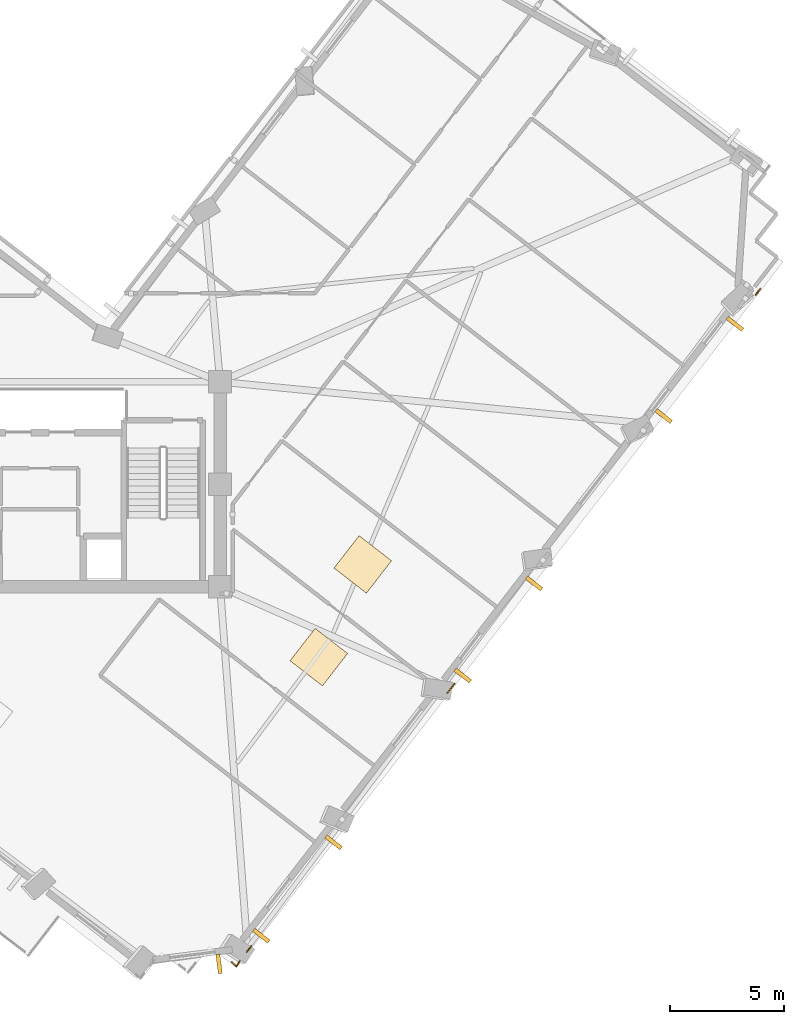
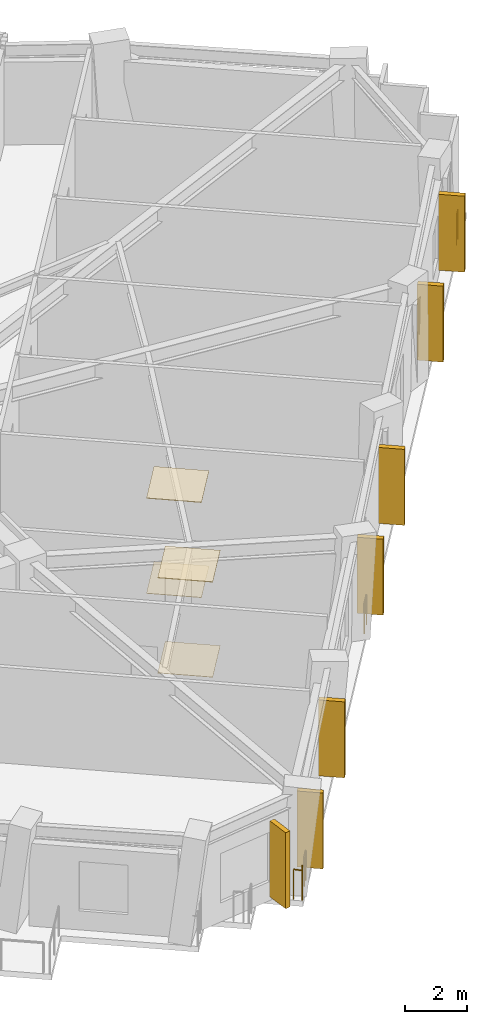
# One storey, part 10 of 12: 7 shading devices, 4 coverings, 4 railings.
"""IFC4 building model written with IfcOpenShell, lengths in metres."""

import ifcopenshell
import ifcopenshell.guid

model = None  # the IFC model being written
_history = None  # IfcOwnerHistory: only IFC2X3 demands one
_inside = {}  # id of a spatial element -> (the spatial element, [elements in it])
_under = {}  # id of a project, library or spatial element -> (it, [spatial elements below it])
_declared = {}  # id of a project -> (the project, [libraries it declares])
_typed = {}  # id of a type object -> (the type object, [elements of that type])
_made_of = {}  # id of a material, layer set ... -> (it, [elements and type objects made of it])


def new_model(schema):
    """Start an empty IFC model of exactly this schema.

    Asked for "IFC4X3", IfcOpenShell would pick the latest addendum, in which some entities
    have other attributes; the version numbers below select the first issue.
    IFC2X3 requires an IfcOwnerHistory on every rooted entity: one is made here for all.
    """
    global model, _history
    if schema == "IFC4X3":
        model = ifcopenshell.file(schema_version=(4, 3, 0, 0))
    else:
        model = ifcopenshell.file(schema=schema)
    _inside.clear()
    _under.clear()
    _declared.clear()
    _typed.clear()
    _made_of.clear()
    _history = None
    if model.schema == "IFC2X3":
        org = make("IfcOrganization", Name="unknown")
        user = make(
            "IfcPersonAndOrganization",
            ThePerson=make("IfcPerson", FamilyName="unknown"),
            TheOrganization=org,
        )
        app = make(
            "IfcApplication",
            ApplicationDeveloper=org,
            Version="unknown",
            ApplicationFullName="unknown",
            ApplicationIdentifier="unknown",
        )
        _history = make(
            "IfcOwnerHistory",
            OwningUser=user,
            OwningApplication=app,
            ChangeAction="ADDED",
            CreationDate=0,
        )
    return model


def make(cls, **values):
    """One entity of the class cls with the attributes given. An attribute that is None is left unset."""
    return model.create_entity(
        cls, **{name: value for name, value in values.items() if value is not None}
    )


def rooted(cls, **values):
    """An entity with a GlobalId (a new one), such as an element, a storey or a relation."""
    return make(cls, GlobalId=ifcopenshell.guid.new(), OwnerHistory=_history, **values)


def si_unit(unit_type, name, prefix=None):
    """IfcSIUnit, for example si_unit("LENGTHUNIT", "METRE", prefix="MILLI")."""
    return make("IfcSIUnit", UnitType=unit_type, Prefix=prefix, Name=name)


def assignment(units):
    """IfcUnitAssignment: the units of a project."""
    return None if units is None else make("IfcUnitAssignment", Units=units)


def point(xyz):
    """IfcCartesianPoint."""
    return None if xyz is None else make("IfcCartesianPoint", Coordinates=xyz)


def direction(xyz):
    """IfcDirection."""
    return None if xyz is None else make("IfcDirection", DirectionRatios=xyz)


def frame(location, z_axis=None, x_axis=None):
    """IfcAxis2Placement3D, a coordinate frame: its origin and axes. An axis left out is left unset."""
    return make(
        "IfcAxis2Placement3D",
        Location=point(location),
        Axis=direction(z_axis),
        RefDirection=direction(x_axis),
    )


def frame_2d(location, x_axis=None):
    """IfcAxis2Placement2D, a coordinate frame in the plane: its origin and x axis."""
    return make(
        "IfcAxis2Placement2D", Location=point(location), RefDirection=direction(x_axis)
    )


def origin():
    """The frame at (0, 0, 0) with its axes left unset."""
    return frame((0.0, 0.0, 0.0))


def origin_2d():
    """The frame at (0, 0) in the plane with its x axis left unset."""
    return frame_2d((0.0, 0.0))


def place(relative_to, where):
    """IfcLocalPlacement: puts the frame where relative to a parent placement (None: the world)."""
    return make(
        "IfcLocalPlacement", PlacementRelTo=relative_to, RelativePlacement=where
    )


def context(
    kind, dimensions, precision=None, world=None, true_north=None, identifier=None
):
    """IfcGeometricRepresentationContext, for example the 3D "Model" context."""
    return make(
        "IfcGeometricRepresentationContext",
        ContextIdentifier=identifier,
        ContextType=kind,
        CoordinateSpaceDimension=dimensions,
        Precision=precision,
        WorldCoordinateSystem=world,
        TrueNorth=true_north,
    )


def subcontext(parent, identifier, kind, view, scale=None):
    """IfcGeometricRepresentationSubContext, for example "Body" below "Model"."""
    return make(
        "IfcGeometricRepresentationSubContext",
        ContextIdentifier=identifier,
        ContextType=kind,
        ParentContext=parent,
        TargetScale=scale,
        TargetView=view,
    )


def project(units=None, contexts=None):
    """IfcProject with its units and contexts."""
    return rooted(
        "IfcProject",
        Name="project",
        RepresentationContexts=contexts,
        UnitsInContext=assignment(units),
    )


def spatial(cls, under=None, at=None, **own):
    """A site, building, storey or space (cls), placed at a placement, below another one or the project."""
    s = rooted(cls, ObjectPlacement=at, **own)
    if under is not None:
        _under.setdefault(under.id(), (under, []))[1].append(s)
    return s


def profile(cls, at=None, kind="AREA", **sizes):
    """A parametric profile (cls). Its sizes go by their IFC names, for example OverallWidth=200.0."""
    return make(cls, ProfileType=kind, Position=at, **sizes)


def rectangle(**sizes):
    """IfcRectangleProfileDef."""
    return profile("IfcRectangleProfileDef", **sizes)


def circle(**sizes):
    """IfcCircleProfileDef."""
    return profile("IfcCircleProfileDef", **sizes)


def extrude(swept, where, along, depth):
    """IfcExtrudedAreaSolid: the profile swept, set in the frame where, extruded along a direction by depth."""
    return make(
        "IfcExtrudedAreaSolid",
        SweptArea=swept,
        Position=where,
        ExtrudedDirection=direction(along),
        Depth=depth,
    )


def shape(context_of_items, identifier, shape_type, items):
    """IfcShapeRepresentation: the items that make up one representation, for example the "Body"."""
    return make(
        "IfcShapeRepresentation",
        ContextOfItems=context_of_items,
        RepresentationIdentifier=identifier,
        RepresentationType=shape_type,
        Items=items,
    )


def material(Name=None, Category=None):
    """IfcMaterial."""
    return make("IfcMaterial", Name=Name, Category=Category)


def layer(
    of_material, thickness, ventilated=None, Name=None, Category=None, Priority=None
):
    """IfcMaterialLayer: one layer of a wall or slab, of a material (None: an air gap)."""
    return make(
        "IfcMaterialLayer",
        Material=of_material,
        LayerThickness=thickness,
        IsVentilated=ventilated,
        Name=Name,
        Category=Category,
        Priority=Priority,
    )


def layer_set(layers, Name=None):
    """IfcMaterialLayerSet."""
    return make("IfcMaterialLayerSet", MaterialLayers=layers, LayerSetName=Name)


def made_of(thing, what):
    """Note that an element or type object is made of a material, layer set ...; save() writes the relation."""
    if what is not None:
        _made_of.setdefault(what.id(), (what, []))[1].append(thing)
    return thing


def type_object(cls, material=None, **own):
    """A type object (cls), such as IfcWallType, which elements share."""
    return made_of(rooted(cls, **own), material)


def element(
    cls,
    number,
    at=None,
    inside=None,
    cuts=None,
    type_object=None,
    material=None,
    context=None,
    identifier="Body",
    shape_type=None,
    held_by="IfcProductDefinitionShape",
    body=None,
    shapes=None,
    **own,
):
    """One element of the class cls, such as IfcWall. Its Tag is "e" and its number.

    at: its placement. inside: the storey or other place that contains it. cuts: it is an
    opening in that element (IfcRelVoidsElement). A single representation is given by context,
    identifier, shape_type and body (its items); several are given by shapes. held_by: the class
    of the entity that holds the representations. save() writes the other relations.
    """
    e = rooted(cls, Tag="e%d" % number, ObjectPlacement=at, **own)
    if body is not None:
        shapes = [shape(context, identifier, shape_type, body)]
    if shapes is not None:
        e.Representation = make(held_by, Representations=shapes)
    if inside is not None:
        _inside.setdefault(inside.id(), (inside, []))[1].append(e)
    if cuts is not None:
        rooted(
            "IfcRelVoidsElement", RelatingBuildingElement=cuts, RelatedOpeningElement=e
        )
    if type_object is not None:
        _typed.setdefault(type_object.id(), (type_object, []))[1].append(e)
    return made_of(e, material)


def aggregate(whole, parts):
    """IfcRelAggregates: a whole, such as a stair, and the parts it consists of."""
    return rooted("IfcRelAggregates", RelatingObject=whole, RelatedObjects=parts)


def save(model, path):
    """Write the relations noted so far, then the file.

    IfcRelAggregates (storeys below a building ...), IfcRelContainedInSpatialStructure (elements
    in a storey), IfcRelDefinesByType, IfcRelAssociatesMaterial and IfcRelDeclares: one each for
    every whole, place, type object, material and project.
    """
    for whole, parts in _under.values():
        aggregate(whole, parts)
    for where, things in _inside.values():
        rooted(
            "IfcRelContainedInSpatialStructure",
            RelatedElements=things,
            RelatingStructure=where,
        )
    for kind, things in _typed.values():
        rooted("IfcRelDefinesByType", RelatedObjects=things, RelatingType=kind)
    for what, things in _made_of.values():
        rooted("IfcRelAssociatesMaterial", RelatedObjects=things, RelatingMaterial=what)
    for by, libraries in _declared.values():
        rooted("IfcRelDeclares", RelatingContext=by, RelatedDefinitions=libraries)
    model.write(path)


model = new_model("IFC4")

# Units and contexts
model_context = context("Model", 3, precision=1e-05, world=origin(), true_north=direction((0.0, 1.0)))
body_context = subcontext(model_context, "Body", "Model", "MODEL_VIEW")
ifc_project = project(units=[si_unit("LENGTHUNIT", "METRE"), si_unit("AREAUNIT", "SQUARE_METRE"), si_unit("VOLUMEUNIT", "CUBIC_METRE"), si_unit("PLANEANGLEUNIT", "RADIAN"), si_unit("MASSUNIT", "GRAM", prefix="KILO")], contexts=[model_context])

# Site, building, storey
site_placement = place(None, origin())
site = spatial("IfcSite", under=ifc_project, at=site_placement, CompositionType="ELEMENT")
building_placement = place(site_placement, origin())
building = spatial("IfcBuilding", under=site, at=building_placement, Name="Gaonmaruhae Medical Tower", CompositionType="ELEMENT")
storey_placement = place(building_placement, frame((0.0, 0.0, 247.199951171875)))
storey = spatial("IfcBuildingStorey", under=building, at=storey_placement, Name="L59", CompositionType="ELEMENT", Elevation=247.199951171875)

# Coverings
ifc_material_1 = material(Name="Acoustic mineral ceiling tile", Category="finish")
ifc_layer_1 = layer(ifc_material_1, 0.02490234375)
ifc_layer_set_1 = layer_set([ifc_layer_1], Name="Acoustic mineral ceiling tile")
covering_type_1 = type_object("IfcCoveringType", Name="CLG-01 Antimicrobial Acoustic Mineral Ceiling", PredefinedType="CEILING", material=ifc_layer_set_1)
for number, where, z_axis, x_axis, name in (
    (1, (39.934326171875, 4.71240234375, 3.755126953125), (0.0, 0.0, 1.0), (0.612217280034, 0.790689573744, 0.0), "L59 Clinical Room Acoustic Ceiling 3"),
    (2, (41.864013671875, 8.783203125, 3.755126953125), (0.0, 0.0, 1.0), (0.612217280034, 0.790689573744, 0.0), "L59 Clinical Room Acoustic Ceiling 4"),
):
    element("IfcCovering", number, at=place(storey_placement, frame(where, z_axis=z_axis, x_axis=x_axis)), inside=storey, type_object=covering_type_1, Name=name, PredefinedType="CEILING", context=body_context, shape_type="SweptSolid", body=[
        extrude(rectangle(XDim=1.800048828125, YDim=1.800048828125, at=origin_2d()), origin(), (0.0, 0.0, 1.0), 0.02490234375),
    ])
ifc_material_2 = material(Name="Seamless clinical vinyl flooring", Category="finish")
ifc_layer_2 = layer(ifc_material_2, 0.014892578125)
ifc_layer_set_2 = layer_set([ifc_layer_2], Name="Seamless clinical vinyl flooring")
covering_type_2 = type_object("IfcCoveringType", Name="FLR-01 Seamless Clinical Antistatic Vinyl Flooring", PredefinedType="FLOORING", material=ifc_layer_set_2)
for number, where, z_axis, x_axis, name in (
    (3, (39.934326171875, 4.71240234375, 0.0), (0.0, 0.0, 1.0), (0.612217280034, 0.790689573744, 0.0), "L59 Clinical Room Vinyl Flooring 3"),
    (4, (41.864013671875, 8.783203125, 0.0), (0.0, 0.0, 1.0), (0.612217280034, 0.790689573744, 0.0), "L59 Clinical Room Vinyl Flooring 4"),
):
    element("IfcCovering", number, at=place(storey_placement, frame(where, z_axis=z_axis, x_axis=x_axis)), inside=storey, type_object=covering_type_2, Name=name, PredefinedType="FLOORING", context=body_context, shape_type="SweptSolid", body=[
        extrude(rectangle(XDim=1.800048828125, YDim=1.800048828125, at=origin_2d()), origin(), (0.0, 0.0, 1.0), 0.014892578125),
    ])

# Railings
ifc_material_3 = material(Name="Stainless steel 316L and laminated safety glass", Category="steel")
ifc_layer_3 = layer(ifc_material_3, 0.080078125)
ifc_layer_set_3 = layer_set([ifc_layer_3], Name="Stainless steel 316L and laminated safety glass")
railing_type = type_object("IfcRailingType", Name="GD-120 Outdoor Terrace Safety Glass & Steel Balustrade", PredefinedType="BALUSTRADE", material=ifc_layer_set_3)
railing_1_placement = place(storey_placement, frame((59.323974609375, 20.895751953125, 0.0)))
element("IfcRailing", 5, at=railing_1_placement, inside=storey, type_object=railing_type, Name="L59 Perimeter Slab Edge Safety Balustrade 06", PredefinedType="BALUSTRADE", context=body_context, shape_type="SweptSolid", body=[
    extrude(circle(Radius=0.02392578125, at=origin_2d()), frame((0.0, 0.0, 1.17578125), z_axis=(-0.611999325903, -0.790858283825, 0.0), x_axis=(0.790858283825, -0.611999325903, 0.0)), (0.0, 0.0, 1.0), 0.33984375),
    extrude(circle(Radius=0.02099609375, at=origin_2d()), origin(), (0.0, 0.0, 1.0), 1.15185546875),
    extrude(circle(Radius=0.02099609375, at=origin_2d()), frame((-0.2080078125, -0.268798828125, 0.0)), (0.0, 0.0, 1.0), 1.15185546875),
])
railing_2_placement = place(storey_placement, frame((45.8935546875, 3.5498046875, 0.0)))
element("IfcRailing", 6, at=railing_2_placement, inside=storey, type_object=railing_type, Name="L59 Perimeter Slab Edge Safety Balustrade 07", PredefinedType="BALUSTRADE", context=body_context, shape_type="SweptSolid", body=[
    extrude(circle(Radius=0.02392578125, at=origin_2d()), frame((0.0, 0.0, 1.17578125), z_axis=(-0.612476292366, -0.790488957095, 0.0), x_axis=(0.790488957095, -0.612476292366, 0.0)), (0.0, 0.0, 1.0), 0.519775390625),
    extrude(circle(Radius=0.02099609375, at=origin_2d()), origin(), (0.0, 0.0, 1.0), 1.15185546875),
    extrude(circle(Radius=0.02099609375, at=origin_2d()), frame((-0.318359375, -0.410888671875, 0.0)), (0.0, 0.0, 1.0), 1.15185546875),
])
railing_3_placement = place(storey_placement, frame((36.976318359375, -7.966552734375, 0.0)))
element("IfcRailing", 7, at=railing_3_placement, inside=storey, type_object=railing_type, Name="L59 Perimeter Slab Edge Safety Balustrade 08", PredefinedType="BALUSTRADE", context=body_context, shape_type="SweptSolid", body=[
    extrude(circle(Radius=0.02392578125, at=origin_2d()), frame((0.0, 0.0, 1.17578125), z_axis=(-0.611999325903, -0.790858283825, 0.0), x_axis=(0.790858283825, -0.611999325903, 0.0)), (0.0, 0.0, 1.0), 0.33984375),
    extrude(circle(Radius=0.02099609375, at=origin_2d()), origin(), (0.0, 0.0, 1.0), 1.15185546875),
    extrude(circle(Radius=0.02099609375, at=origin_2d()), frame((-0.2080078125, -0.268798828125, 0.0)), (0.0, 0.0, 1.0), 1.15185546875),
])
railing_4_placement = place(storey_placement, frame((36.462890625, -8.6298828125, 0.0)))
element("IfcRailing", 8, at=railing_4_placement, inside=storey, type_object=railing_type, Name="L59 Perimeter Corner Safety Balustrade 16", PredefinedType="BALUSTRADE", context=body_context, shape_type="SweptSolid", body=[
    extrude(circle(Radius=0.02392578125, at=origin_2d()), frame((0.0, 0.0, 1.17578125), z_axis=(-0.510990504659, -0.859586356423, 0.0), x_axis=(0.859586356423, -0.510990504659, 0.0)), (0.0, 0.0, 1.0), 0.287109375),
    extrude(circle(Radius=0.02392578125, at=origin_2d()), frame((-0.146728515625, -0.246826171875, 1.17578125), z_axis=(-0.710498121873, 0.703699096784, 0.0), x_axis=(-0.703699096784, -0.710498121873, 0.0)), (0.0, 0.0, 1.0), 0.287353515625),
    extrude(circle(Radius=0.02099609375, at=origin_2d()), origin(), (0.0, 0.0, 1.0), 1.15185546875),
    extrude(circle(Radius=0.02099609375, at=origin_2d()), frame((-0.146728515625, -0.246826171875, 0.0)), (0.0, 0.0, 1.0), 1.15185546875),
    extrude(circle(Radius=0.02099609375, at=origin_2d()), frame((-0.350830078125, -0.044677734375, 0.0)), (0.0, 0.0, 1.0), 1.15185546875),
])

# Shading devices
ifc_material_4 = material(Name="Pigmented coral precast concrete C45/55", Category="concrete")
shading_device_type = type_object("IfcShadingDeviceType", Name="SD-FIN1 Tower Vertical Coral Precast Shading Fin", PredefinedType="USERDEFINED", material=ifc_material_4)
for number, where, z_axis, x_axis, name in (
    (9, (40.581787109375, -3.41650390625, 0.132568359375), (0.0, 0.0, 1.0), (-0.612217280034, -0.790689573744, 0.0), "L59 Vertical Coral Precast Shading Fin S01"),
    (10, (37.40771484375, -7.515869140625, 0.132568359375), (0.0, 0.0, 1.0), (-0.612217280034, -0.790689573744, 0.0), "L59 Vertical Coral Precast Shading Fin S01B"),
    (11, (49.381591796875, 7.94873046875, 0.132568359375), (0.0, 0.0, 1.0), (-0.612217280034, -0.790689573744, 0.0), "L59 Vertical Coral Precast Shading Fin S03"),
    (12, (46.251220703125, 3.905517578125, 0.132568359375), (0.0, 0.0, 1.0), (-0.612217280034, -0.790689573744, 0.0), "L59 Vertical Coral Precast Shading Fin S03B"),
    (13, (58.2041015625, 19.343017578125, 0.132568359375), (0.0, 0.0, 1.0), (-0.612217280034, -0.790689573744, 0.0), "L59 Vertical Coral Precast Shading Fin S05"),
    (14, (55.070556640625, 15.2958984375, 0.132568359375), (0.0, 0.0, 1.0), (-0.612217280034, -0.790689573744, 0.0), "L59 Vertical Coral Precast Shading Fin S05B"),
    (15, (35.555908203125, -8.7529296875, 0.132568359375), (0.0, 0.0, 1.0), (-0.99200494968, -0.126198969136, 0.0), "L59 Vertical Coral Precast Shading Fin W06"),
):
    element("IfcShadingDevice", number, at=place(storey_placement, frame(where, z_axis=z_axis, x_axis=x_axis)), inside=storey, type_object=shading_device_type, Name=name, ObjectType="FIN", PredefinedType="USERDEFINED", context=body_context, shape_type="SweptSolid", body=[
        extrude(rectangle(XDim=0.179931640625, YDim=0.85009765625, at=origin_2d()), origin(), (0.0, 0.0, 1.0), 3.0),
    ])

save(model, "model.ifc")
